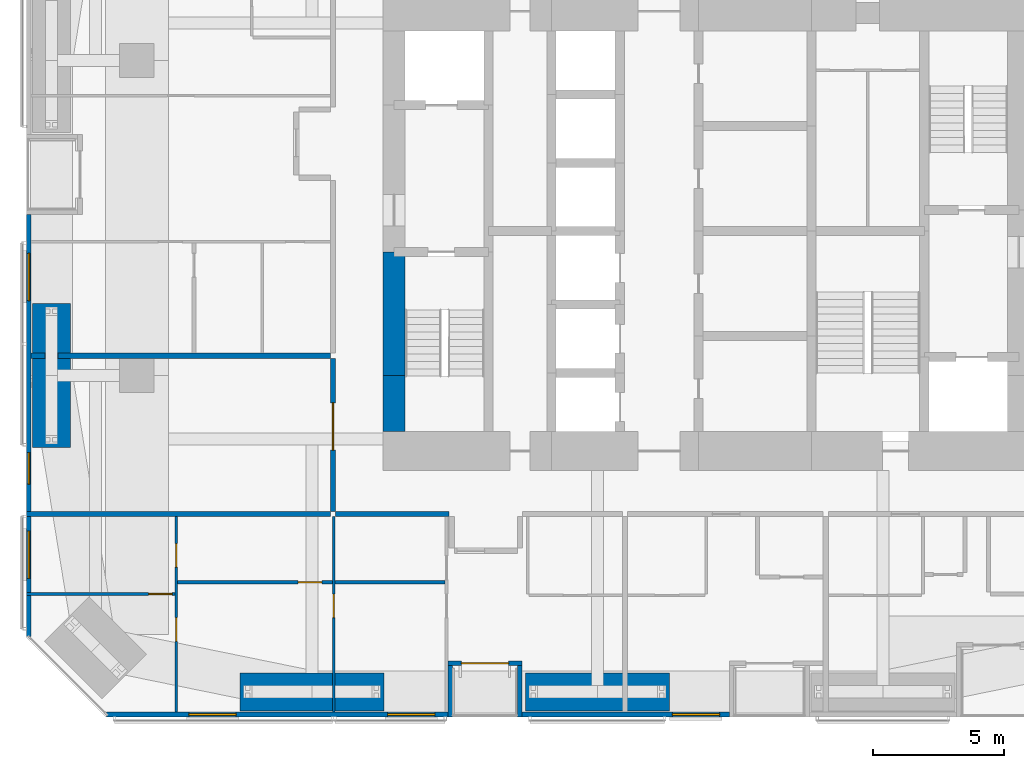
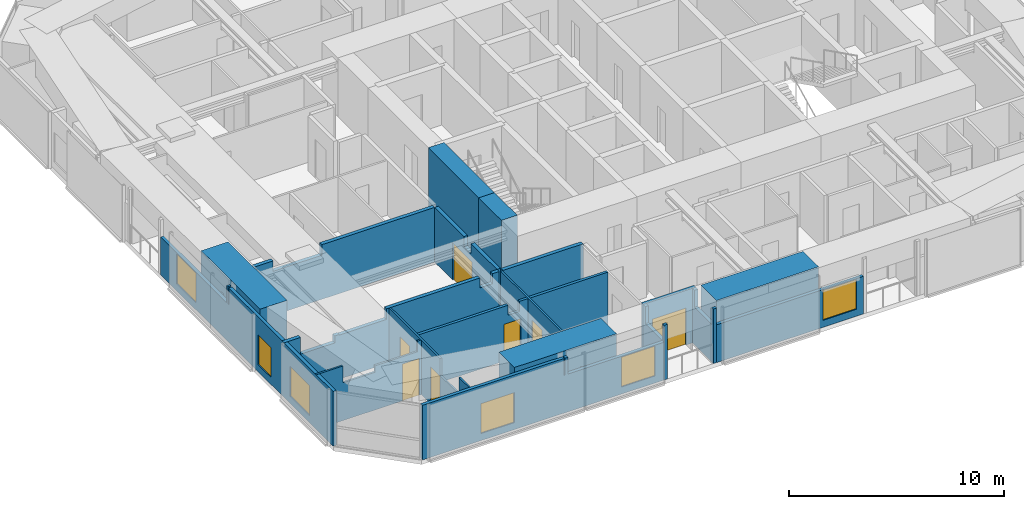
# One storey, part 17 of 25: 20 walls, 7 doors, 6 windows, 13 openings.
"""IFC4 building model written with IfcOpenShell, lengths in metres."""

from ifc_helpers import new_model, si_unit, direction, frame, frame_2d, origin, place, context, subcontext, project, spatial, polyline, rectangle, outline, extrude, material, layer, layer_set, constituent, constituent_set, type_object, element, fill, save


model = new_model("IFC4")

# Units and contexts
model_context = context("Model", 3, precision=1e-05, world=origin(), true_north=direction((0.0, 1.0)))
body_context = subcontext(model_context, "Body", "Model", "MODEL_VIEW")
ifc_project = project(units=[si_unit("LENGTHUNIT", "METRE"), si_unit("AREAUNIT", "SQUARE_METRE"), si_unit("VOLUMEUNIT", "CUBIC_METRE"), si_unit("PLANEANGLEUNIT", "RADIAN"), si_unit("MASSUNIT", "GRAM", prefix="KILO")], contexts=[model_context])

# Site, building, storey
site_placement = place(None, origin())
site = spatial("IfcSite", under=ifc_project, at=site_placement, CompositionType="ELEMENT")
building_placement = place(site_placement, origin())
building = spatial("IfcBuilding", under=site, at=building_placement, Name="Jalousie Tower", CompositionType="ELEMENT")
storey_placement = place(building_placement, frame((0.0, 0.0, 94.800048828125)))
storey = spatial("IfcBuildingStorey", under=building, at=storey_placement, Name="L25", CompositionType="ELEMENT", Elevation=94.800048828125)

# Wall, opening, door
ifc_material_1 = material(Name="Concrete block ASTM C90", Category="concrete")
ifc_constituent_1 = constituent(ifc_material_1, Name="Body")
ifc_material_2 = material(Name="Render")
ifc_constituent_2 = constituent(ifc_material_2, Name="Finish")
ifc_constituent_set_1 = constituent_set(constituents=[ifc_constituent_1, ifc_constituent_2])
wall_type_1 = type_object("IfcWallType", Name="BATHROOM WALL 150", PredefinedType="PLUMBINGWALL", material=ifc_constituent_set_1)
wall_1_placement = place(storey_placement, frame((11.75, 5.125, 0.0), z_axis=(0.0, 0.0, 1.0), x_axis=(1.0, 0.0, 0.0)))
wall_1 = element("IfcWall", 1, at=wall_1_placement, inside=storey, type_object=wall_type_1, Name="Bathroom Wall 150 L25", PredefinedType="PLUMBINGWALL", context=body_context, shape_type="SweptSolid", body=[
    extrude(outline(polyline([(0.0, 0.0), (5.89990234375, 0.0), (5.89990234375, 3.10986328125), (5.4375, 3.10986328125), (5.4375, 2.541015625), (4.8125, 2.541015625), (4.8125, 3.10986328125), (0.0, 3.10986328125), (0.0, 0.0)])), frame((0.0, 0.074951171875, 0.0), z_axis=(0.0, -1.0, 0.0), x_axis=(1.0, 0.0, 0.0)), (0.0, 0.0, 1.0), 0.14990234375),
])
opening_1_placement = place(wall_1_placement, frame((4.60009765625, 0.0, 0.0)))
opening_1 = element("IfcOpeningElement", 2, at=opening_1_placement, cuts=wall_1, Name="Opening D3", PredefinedType="OPENING", context=body_context, shape_type="SweptSolid", body=[
    extrude(rectangle(XDim=0.89990234375, YDim=2.10009765625, at=frame_2d((0.449951171875, 1.050048828125))), frame((0.0, 0.0849609375, 0.0), z_axis=(0.0, -1.0, 0.0), x_axis=(1.0, 0.0, 0.0)), (0.0, 0.0, 1.0), 0.169921875),
])
ifc_material_3 = material(Name="Timber door", Category="wood")
door_type_1 = type_object("IfcDoorType", Name="BATHROOM DOOR 900", OperationType="SINGLE_SWING_LEFT", PredefinedType="DOOR", material=ifc_material_3)
door_1_placement = place(opening_1_placement, origin())
door_1 = element("IfcDoor", 3, at=door_1_placement, inside=storey, type_object=door_type_1, Name="Apartment 2501 bedroom 2 bathroom door", OperationType="SINGLE_SWING_RIGHT", OverallHeight=2.10009765625, OverallWidth=0.89990234375, PredefinedType="DOOR", context=body_context, shape_type="SweptSolid", body=[
    extrude(rectangle(XDim=0.89990234375, YDim=2.10009765625, at=frame_2d((0.449951171875, 1.050048828125))), frame((0.0, 0.02490234375, 0.0), z_axis=(0.0, -1.0, 0.0), x_axis=(1.0, 0.0, 0.0)), (0.0, 0.0, 1.0), 0.050048828125),
])
fill(opening_1, door_1)

# Walls
wall_2_placement = place(storey_placement, frame((17.75, 5.125, 0.0), z_axis=(0.0, 0.0, 1.0), x_axis=(1.0, 0.0, 0.0)))
element("IfcWall", 4, at=wall_2_placement, inside=storey, type_object=wall_type_1, Name="Bathroom Wall 150 L25", PredefinedType="PLUMBINGWALL", context=body_context, shape_type="SweptSolid", body=[
    extrude(rectangle(XDim=4.199951171875, YDim=0.14990234375, at=frame_2d((2.10009765625, 0.0))), origin(), (0.0, 0.0, 1.0), 3.10986328125),
])
ifc_material_4 = material(Name="Concrete f'c 120 MPa", Category="concrete")
ifc_layer_1 = layer(ifc_material_4, 0.85009765625)
ifc_layer_set_1 = layer_set([ifc_layer_1], Name="Concrete f'c 120 MPa")
wall_type_2 = type_object("IfcWallType", Name="CORE WALL 850", PredefinedType="SHEAR", material=ifc_layer_set_1)
wall_3_placement = place(storey_placement, frame((20.0, 17.699951171875, 0.0), z_axis=(0.0, 0.0, 1.0), x_axis=(0.0, -1.0, 0.0)))
element("IfcWall", 5, at=wall_3_placement, inside=storey, type_object=wall_type_2, Name="Core wall WC L25", PredefinedType="SHEAR", context=body_context, shape_type="SweptSolid", body=[
    extrude(rectangle(XDim=4.699951171875, YDim=0.85009765625, at=frame_2d((2.35009765625, 0.0))), origin(), (0.0, 0.0, 1.0), 3.349853515625),
])
wall_4_placement = place(storey_placement, frame((20.0, 13.0, 0.0), z_axis=(0.0, 0.0, 1.0), x_axis=(0.0, -1.0, 0.0)))
element("IfcWall", 6, at=wall_4_placement, inside=storey, type_object=wall_type_2, Name="Core wall WD L25", PredefinedType="SHEAR", context=body_context, shape_type="SweptSolid", body=[
    extrude(rectangle(XDim=2.125, YDim=0.85009765625, at=frame_2d((1.0625, 0.0))), origin(), (0.0, 0.0, 1.0), 3.349853515625),
])
ifc_material_5 = material(Name="Concrete block ASTM C90", Category="concrete")
ifc_constituent_3 = constituent(ifc_material_5, Name="Body")
ifc_material_6 = material(Name="Render")
ifc_constituent_4 = constituent(ifc_material_6, Name="Finish")
ifc_constituent_set_2 = constituent_set(constituents=[ifc_constituent_3, ifc_constituent_4])
wall_type_3 = type_object("IfcWallType", Name="CORRIDOR WALL 200", PredefinedType="PARTITIONING", material=ifc_constituent_set_2)
wall_5_placement = place(storey_placement, frame((17.77490234375, 7.72509765625, 0.0), z_axis=(0.0, 0.0, 1.0), x_axis=(1.0, 0.0, 0.0)))
element("IfcWall", 7, at=wall_5_placement, inside=storey, type_object=wall_type_3, Name="Corridor Wall 200 L25", PredefinedType="PARTITIONING", context=body_context, shape_type="SweptSolid", body=[
    extrude(rectangle(XDim=4.3251953125, YDim=0.199951171875, at=frame_2d((2.16259765625, 0.0))), origin(), (0.0, 0.0, 1.0), 3.10986328125),
])

# Wall, opening, door
wall_6_placement = place(storey_placement, frame((17.675048828125, 7.824951171875, 0.0), z_axis=(0.0, 0.0, 1.0), x_axis=(0.0, 1.0, 0.0)))
wall_6 = element("IfcWall", 8, at=wall_6_placement, inside=storey, type_object=wall_type_3, Name="Corridor Wall 200 L25", PredefinedType="PARTITIONING", context=body_context, shape_type="SweptSolid", body=[
    extrude(outline(polyline([(0.0, 0.0), (5.824951171875, 0.0), (5.824951171875, 3.10986328125), (3.08740234375, 3.10986328125), (3.08740234375, 2.541015625), (2.41259765625, 2.541015625), (2.41259765625, 3.10986328125), (0.0, 3.10986328125), (0.0, 0.0)])), frame((0.0, 0.10009765625, 0.0), z_axis=(0.0, -1.0, 0.0), x_axis=(1.0, 0.0, 0.0)), (0.0, 0.0, 1.0), 0.199951171875),
])
opening_2_placement = place(wall_6_placement, frame((2.33740234375, 0.0, 0.0)))
opening_2 = element("IfcOpeningElement", 9, at=opening_2_placement, cuts=wall_6, Name="Opening D22", PredefinedType="OPENING", context=body_context, shape_type="SweptSolid", body=[
    extrude(rectangle(XDim=1.800048828125, YDim=2.10009765625, at=frame_2d((0.89990234375, 1.050048828125))), frame((0.0, 0.10986328125, 0.0), z_axis=(0.0, -1.0, 0.0), x_axis=(1.0, 0.0, 0.0)), (0.0, 0.0, 1.0), 0.219970703125),
])
ifc_material_7 = material(Name="Timber fire door", Category="wood")
door_type_2 = type_object("IfcDoorType", Name="CORRIDOR DOUBLE DOOR 1800", OperationType="DOUBLE_DOOR_SINGLE_SWING", PredefinedType="DOOR", material=ifc_material_7)
door_2_placement = place(opening_2_placement, origin())
door_2 = element("IfcDoor", 10, at=door_2_placement, inside=storey, type_object=door_type_2, Name="Residents' co-working room door", OperationType="DOUBLE_DOOR_SINGLE_SWING", OverallHeight=2.10009765625, OverallWidth=1.800048828125, PredefinedType="DOOR", context=body_context, shape_type="SweptSolid", body=[
    extrude(rectangle(XDim=1.800048828125, YDim=2.10009765625, at=frame_2d((0.89990234375, 1.050048828125))), frame((0.0, 0.02490234375, 0.0), z_axis=(0.0, -1.0, 0.0), x_axis=(1.0, 0.0, 0.0)), (0.0, 0.0, 1.0), 0.050048828125),
])
fill(opening_2, door_2)

# Wall, openings, windows
ifc_material_8 = material(Name="Concrete f'c 40 MPa", Category="concrete")
ifc_constituent_5 = constituent(ifc_material_8, Name="Body")
ifc_material_9 = material(Name="Render, pastel sea green")
ifc_constituent_6 = constituent(ifc_material_9, Name="Finish")
ifc_constituent_set_3 = constituent_set(constituents=[ifc_constituent_5, ifc_constituent_6])
wall_type_4 = type_object("IfcWallType", Name="EXTERNAL WALL 175 SEA GREEN RENDER", PredefinedType="SOLIDWALL", material=ifc_constituent_set_3)
wall_7_placement = place(storey_placement, frame((9.05126953125, 0.08740234375, 0.0), z_axis=(0.0, 0.0, 1.0), x_axis=(1.0, 0.0, 0.0)))
wall_7 = element("IfcWall", 11, at=wall_7_placement, inside=storey, type_object=wall_type_4, Name="External Wall 175 Sea Green Render L25", PredefinedType="SOLIDWALL", context=body_context, shape_type="SweptSolid", body=[
    extrude(outline(polyline([(0.0, 0.0), (12.998779296875, 0.0), (12.998779296875, 2.14990234375), (7.82373046875, 2.14990234375), (7.82373046875, 3.10986328125), (7.66552734375, 3.10986328125), (7.66552734375, 2.14990234375), (7.620361328125, 2.14990234375), (7.620361328125, 3.10986328125), (0.0, 3.10986328125), (0.0, 0.0)])), frame((0.0, 0.08740234375, 0.0), z_axis=(0.0, -1.0, 0.0), x_axis=(1.0, 0.0, 0.0)), (0.0, 0.0, 1.0), 0.175048828125),
])
opening_3_placement = place(wall_7_placement, frame((3.1337890625, 0.0, 0.39990234375)))
opening_3 = element("IfcOpeningElement", 12, at=opening_3_placement, cuts=wall_7, Name="Opening W-BED170", PredefinedType="OPENING", context=body_context, shape_type="SweptSolid", body=[
    extrude(rectangle(XDim=1.800048828125, YDim=1.699951171875, at=frame_2d((0.89990234375, 0.85009765625))), frame((0.0, 0.097412109375, 0.0), z_axis=(0.0, -1.0, 0.0), x_axis=(1.0, 0.0, 0.0)), (0.0, 0.0, 1.0), 0.195068359375),
])
opening_4_placement = place(wall_7_placement, frame((10.706298828125, 0.0, 0.39990234375)))
opening_4 = element("IfcOpeningElement", 13, at=opening_4_placement, cuts=wall_7, Name="Opening W-BED170", PredefinedType="OPENING", context=body_context, shape_type="SweptSolid", body=[
    extrude(rectangle(XDim=1.800048828125, YDim=1.699951171875, at=frame_2d((0.89990234375, 0.85009765625))), frame((0.0, 0.097412109375, 0.0), z_axis=(0.0, -1.0, 0.0), x_axis=(1.0, 0.0, 0.0)), (0.0, 0.0, 1.0), 0.195068359375),
])
ifc_material_10 = material(Name="Aluminium frame, impact-rated glazing", Category="aluminium")
window_type_1 = type_object("IfcWindowType", Name="WINDOW BED 1800x1700", PartitioningType="SINGLE_PANEL", PredefinedType="WINDOW", material=ifc_material_10)
window_1_placement = place(opening_3_placement, origin())
window_1 = element("IfcWindow", 14, at=window_1_placement, inside=storey, type_object=window_type_1, Name="Apartment 2501 bedroom 2 window", OverallHeight=1.699951171875, OverallWidth=1.800048828125, PartitioningType="SINGLE_PANEL", PredefinedType="WINDOW", context=body_context, shape_type="SweptSolid", body=[
    extrude(rectangle(XDim=1.800048828125, YDim=1.699951171875, at=frame_2d((0.89990234375, 0.85009765625))), frame((0.0, 0.030029296875, 0.0), z_axis=(0.0, -1.0, 0.0), x_axis=(1.0, 0.0, 0.0)), (0.0, 0.0, 1.0), 0.06005859375),
])
fill(opening_3, window_1)
window_2_placement = place(opening_4_placement, origin())
window_2 = element("IfcWindow", 15, at=window_2_placement, inside=storey, type_object=window_type_1, Name="Apartment 2501 bedroom 3 window", OverallHeight=1.699951171875, OverallWidth=1.800048828125, PartitioningType="SINGLE_PANEL", PredefinedType="WINDOW", context=body_context, shape_type="SweptSolid", body=[
    extrude(rectangle(XDim=1.800048828125, YDim=1.699951171875, at=frame_2d((0.89990234375, 0.85009765625))), frame((0.0, 0.030029296875, 0.0), z_axis=(0.0, -1.0, 0.0), x_axis=(1.0, 0.0, 0.0)), (0.0, 0.0, 1.0), 0.06005859375),
])
fill(opening_4, window_2)

# Wall, opening, window
wall_8_placement = place(storey_placement, frame((24.875, 0.08740234375, 0.0), z_axis=(0.0, 0.0, 1.0), x_axis=(1.0, 0.0, 0.0)))
wall_8 = element("IfcWall", 16, at=wall_8_placement, inside=storey, type_object=wall_type_4, Name="External Wall 175 Sea Green Render L25", PredefinedType="SOLIDWALL", context=body_context, shape_type="SweptSolid", body=[
    extrude(rectangle(XDim=7.89990234375, YDim=0.175048828125, at=frame_2d((3.949951171875, 0.0))), origin(), (0.0, 0.0, 1.0), 2.14990234375),
])
opening_5_placement = place(wall_8_placement, frame((5.72509765625, 0.0, 0.39990234375)))
opening_5 = element("IfcOpeningElement", 17, at=opening_5_placement, cuts=wall_8, Name="Opening W-BED170", PredefinedType="OPENING", context=body_context, shape_type="SweptSolid", body=[
    extrude(rectangle(XDim=1.800048828125, YDim=1.699951171875, at=frame_2d((0.89990234375, 0.85009765625))), frame((0.0, 0.097412109375, 0.0), z_axis=(0.0, -1.0, 0.0), x_axis=(1.0, 0.0, 0.0)), (0.0, 0.0, 1.0), 0.195068359375),
])
window_3_placement = place(opening_5_placement, origin())
window_3 = element("IfcWindow", 18, at=window_3_placement, inside=storey, type_object=window_type_1, Name="Apartment 2502 studio living and sleeping room window", OverallHeight=1.699951171875, OverallWidth=1.800048828125, PartitioningType="SINGLE_PANEL", PredefinedType="WINDOW", context=body_context, shape_type="SweptSolid", body=[
    extrude(rectangle(XDim=1.800048828125, YDim=1.699951171875, at=frame_2d((0.89990234375, 0.85009765625))), frame((0.0, 0.030029296875, 0.0), z_axis=(0.0, -1.0, 0.0), x_axis=(1.0, 0.0, 0.0)), (0.0, 0.0, 1.0), 0.06005859375),
])
fill(opening_5, window_3)

# Wall, opening, door
wall_9_placement = place(storey_placement, frame((22.050048828125, 2.03759765625, 0.0), z_axis=(0.0, 0.0, 1.0), x_axis=(1.0, 0.0, 0.0)))
wall_9 = element("IfcWall", 19, at=wall_9_placement, inside=storey, type_object=wall_type_4, Name="External Wall 175 Sea Green Render L25", PredefinedType="SOLIDWALL", context=body_context, shape_type="SweptSolid", body=[
    extrude(rectangle(XDim=2.824951171875, YDim=0.175048828125, at=frame_2d((1.41259765625, 0.0))), origin(), (0.0, 0.0, 1.0), 3.10986328125),
])
opening_6_placement = place(wall_9_placement, frame((0.512451171875, 0.0, 0.0)))
opening_6 = element("IfcOpeningElement", 20, at=opening_6_placement, cuts=wall_9, Name="Opening D-BAL21", PredefinedType="OPENING", context=body_context, shape_type="SweptSolid", body=[
    extrude(rectangle(XDim=1.800048828125, YDim=2.10009765625, at=frame_2d((0.89990234375, 1.050048828125))), frame((0.0, 0.097412109375, 0.0), z_axis=(0.0, -1.0, 0.0), x_axis=(1.0, 0.0, 0.0)), (0.0, 0.0, 1.0), 0.195068359375),
])
ifc_material_11 = material(Name="Aluminium frame, impact-rated glazing", Category="aluminium")
door_type_3 = type_object("IfcDoorType", Name="BALCONY DOOR 1800x2100", OperationType="SLIDING_TO_LEFT", PredefinedType="DOOR", material=ifc_material_11)
door_3_placement = place(opening_6_placement, origin())
door_3 = element("IfcDoor", 21, at=door_3_placement, inside=storey, type_object=door_type_3, Name="Apartment 2501 living and dining room loggia door", OperationType="SLIDING_TO_LEFT", OverallHeight=2.10009765625, OverallWidth=1.800048828125, PredefinedType="DOOR", context=body_context, shape_type="SweptSolid", body=[
    extrude(rectangle(XDim=1.800048828125, YDim=2.10009765625, at=frame_2d((0.89990234375, 1.050048828125))), frame((0.0, 0.02490234375, 0.0), z_axis=(0.0, -1.0, 0.0), x_axis=(1.0, 0.0, 0.0)), (0.0, 0.0, 1.0), 0.050048828125),
])
fill(opening_6, door_3)

# Walls
for number, where, z_axis, x_axis, name in (
    (22, (22.137451171875, 0.0, 0.0), (0.0, 0.0, 1.0), (0.0, 1.0, 0.0), "External Wall 175 Sea Green Render L25"),
    (23, (24.78759765625, 0.0, 0.0), (0.0, 0.0, 1.0), (0.0, 1.0, 0.0), "External Wall 175 Sea Green Render L25"),
):
    element("IfcWall", number, at=place(storey_placement, frame(where, z_axis=z_axis, x_axis=x_axis)), inside=storey, type_object=wall_type_4, Name=name, PredefinedType="SOLIDWALL", context=body_context, shape_type="SweptSolid", body=[
        extrude(outline(polyline([(0.0, 0.0), (1.949951171875, 0.0), (1.949951171875, 3.10986328125), (1.75, 3.10986328125), (1.75, 2.14990234375), (0.14990234375, 2.14990234375), (0.14990234375, 3.10986328125), (0.0, 3.10986328125), (0.0, 0.0)])), frame((0.0, 0.08740234375, 0.0), z_axis=(0.0, -1.0, 0.0), x_axis=(1.0, 0.0, 0.0)), (0.0, 0.0, 1.0), 0.175048828125),
    ])

# Wall, openings, windows
wall_10_placement = place(storey_placement, frame((6.08740234375, 19.137451171875, 0.0), z_axis=(0.0, 0.0, 1.0), x_axis=(0.0, -1.0, 0.0)))
wall_10 = element("IfcWall", 24, at=wall_10_placement, inside=storey, type_object=wall_type_4, Name="External Wall 175 Sea Green Render L25", PredefinedType="SOLIDWALL", context=body_context, shape_type="SweptSolid", body=[
    extrude(outline(polyline([(0.0, 0.0), (16.086181640625, 0.0), (16.086181640625, 3.10986328125), (6.356201171875, 3.10986328125), (6.356201171875, 2.14990234375), (6.26318359375, 2.14990234375), (6.26318359375, 3.10986328125), (6.137451171875, 3.10986328125), (6.137451171875, 2.14990234375), (0.0, 2.14990234375), (0.0, 0.0)])), frame((0.0, 0.08740234375, 0.0), z_axis=(0.0, -1.0, 0.0), x_axis=(1.0, 0.0, 0.0)), (0.0, 0.0, 1.0), 0.175048828125),
])
opening_7_placement = place(wall_10_placement, frame((1.481201171875, 0.0, 0.39990234375)))
opening_7 = element("IfcOpeningElement", 25, at=opening_7_placement, cuts=wall_10, Name="Opening W-BED170", PredefinedType="OPENING", context=body_context, shape_type="SweptSolid", body=[
    extrude(rectangle(XDim=1.800048828125, YDim=1.699951171875, at=frame_2d((0.89990234375, 0.85009765625))), frame((0.0, 0.097412109375, 0.0), z_axis=(0.0, -1.0, 0.0), x_axis=(1.0, 0.0, 0.0)), (0.0, 0.0, 1.0), 0.195068359375),
])
opening_8_placement = place(wall_10_placement, frame((9.07568359375, 0.0, 0.39990234375)))
opening_8 = element("IfcOpeningElement", 26, at=opening_8_placement, cuts=wall_10, Name="Opening W-COR170", PredefinedType="OPENING", context=body_context, shape_type="SweptSolid", body=[
    extrude(rectangle(XDim=1.199951171875, YDim=1.699951171875, at=frame_2d((0.60009765625, 0.85009765625))), frame((0.0, 0.097412109375, 0.0), z_axis=(0.0, -1.0, 0.0), x_axis=(1.0, 0.0, 0.0)), (0.0, 0.0, 1.0), 0.195068359375),
])
opening_9_placement = place(wall_10_placement, frame((12.06201171875, 0.0, 0.39990234375)))
opening_9 = element("IfcOpeningElement", 27, at=opening_9_placement, cuts=wall_10, Name="Opening W-BED170", PredefinedType="OPENING", context=body_context, shape_type="SweptSolid", body=[
    extrude(rectangle(XDim=1.800048828125, YDim=1.699951171875, at=frame_2d((0.89990234375, 0.85009765625))), frame((0.0, 0.097412109375, 0.0), z_axis=(0.0, -1.0, 0.0), x_axis=(1.0, 0.0, 0.0)), (0.0, 0.0, 1.0), 0.195068359375),
])
window_4_placement = place(opening_7_placement, origin())
window_4 = element("IfcWindow", 28, at=window_4_placement, inside=storey, type_object=window_type_1, Name="Apartment 2507 bedroom 1 window", OverallHeight=1.699951171875, OverallWidth=1.800048828125, PartitioningType="SINGLE_PANEL", PredefinedType="WINDOW", context=body_context, shape_type="SweptSolid", body=[
    extrude(rectangle(XDim=1.800048828125, YDim=1.699951171875, at=frame_2d((0.89990234375, 0.85009765625))), frame((0.0, 0.030029296875, 0.0), z_axis=(0.0, -1.0, 0.0), x_axis=(1.0, 0.0, 0.0)), (0.0, 0.0, 1.0), 0.06005859375),
])
fill(opening_7, window_4)
window_5_placement = place(opening_9_placement, origin())
window_5 = element("IfcWindow", 29, at=window_5_placement, inside=storey, type_object=window_type_1, Name="Apartment 2501 bedroom 1 window", OverallHeight=1.699951171875, OverallWidth=1.800048828125, PartitioningType="SINGLE_PANEL", PredefinedType="WINDOW", context=body_context, shape_type="SweptSolid", body=[
    extrude(rectangle(XDim=1.800048828125, YDim=1.699951171875, at=frame_2d((0.89990234375, 0.85009765625))), frame((0.0, 0.030029296875, 0.0), z_axis=(0.0, -1.0, 0.0), x_axis=(1.0, 0.0, 0.0)), (0.0, 0.0, 1.0), 0.06005859375),
])
fill(opening_9, window_5)
ifc_material_12 = material(Name="Aluminium frame, impact-rated glazing", Category="aluminium")
window_type_2 = type_object("IfcWindowType", Name="WINDOW COR 1200x1700", PartitioningType="SINGLE_PANEL", PredefinedType="WINDOW", material=ifc_material_12)
window_6_placement = place(opening_8_placement, origin())
window_6 = element("IfcWindow", 30, at=window_6_placement, inside=storey, type_object=window_type_2, Name="Residents' co-working room window", OverallHeight=1.699951171875, OverallWidth=1.199951171875, PartitioningType="SINGLE_PANEL", PredefinedType="WINDOW", context=body_context, shape_type="SweptSolid", body=[
    extrude(rectangle(XDim=1.199951171875, YDim=1.699951171875, at=frame_2d((0.60009765625, 0.85009765625))), frame((0.0, 0.030029296875, 0.0), z_axis=(0.0, -1.0, 0.0), x_axis=(1.0, 0.0, 0.0)), (0.0, 0.0, 1.0), 0.06005859375),
])
fill(opening_8, window_6)

# Wall, openings, doors
ifc_material_13 = material(Name="Gypsum board", Category="gypsum")
ifc_constituent_7 = constituent(ifc_material_13, Name="Body")
ifc_material_14 = material(Name="Light-gauge steel studs ASTM A653 SS Grade 33", Category="steel")
ifc_constituent_8 = constituent(ifc_material_14, Name="Framing")
ifc_constituent_set_4 = constituent_set(constituents=[ifc_constituent_7, ifc_constituent_8])
wall_type_5 = type_object("IfcWallType", Name="PARTITION 100", PredefinedType="PARTITIONING", material=ifc_constituent_set_4)
wall_11_placement = place(storey_placement, frame((11.699951171875, 0.175048828125, 0.0), z_axis=(0.0, 0.0, 1.0), x_axis=(0.0, 1.0, 0.0)))
wall_11 = element("IfcWall", 31, at=wall_11_placement, inside=storey, type_object=wall_type_5, Name="Partition 100 L25", PredefinedType="PARTITIONING", context=body_context, shape_type="SweptSolid", body=[
    extrude(outline(polyline([(0.0, 0.0), (7.449951171875, 0.0), (7.449951171875, 3.10986328125), (2.708251953125, 3.10986328125), (2.708251953125, 2.14990234375), (0.952880859375, 2.14990234375), (0.952880859375, 3.10986328125), (0.0, 3.10986328125), (0.0, 0.0)])), frame((0.0, 0.050048828125, 0.0), z_axis=(0.0, -1.0, 0.0), x_axis=(1.0, 0.0, 0.0)), (0.0, 0.0, 1.0), 0.10009765625),
])
opening_10_placement = place(wall_11_placement, frame((2.700927734375, 0.0, 0.0)))
opening_10 = element("IfcOpeningElement", 32, at=opening_10_placement, cuts=wall_11, Name="Opening D2", PredefinedType="OPENING", context=body_context, shape_type="SweptSolid", body=[
    extrude(rectangle(XDim=0.89990234375, YDim=2.10009765625, at=frame_2d((0.449951171875, 1.050048828125))), frame((0.0, 0.06005859375, 0.0), z_axis=(0.0, -1.0, 0.0), x_axis=(1.0, 0.0, 0.0)), (0.0, 0.0, 1.0), 0.1201171875),
])
opening_11_placement = place(wall_11_placement, frame((5.525390625, 0.0, 0.0)))
opening_11 = element("IfcOpeningElement", 33, at=opening_11_placement, cuts=wall_11, Name="Opening D3", PredefinedType="OPENING", context=body_context, shape_type="SweptSolid", body=[
    extrude(rectangle(XDim=0.89990234375, YDim=2.10009765625, at=frame_2d((0.449951171875, 1.050048828125))), frame((0.0, 0.06005859375, 0.0), z_axis=(0.0, -1.0, 0.0), x_axis=(1.0, 0.0, 0.0)), (0.0, 0.0, 1.0), 0.1201171875),
])
door_4_placement = place(opening_11_placement, frame((0.89990234375, 0.0, 0.0), z_axis=(0.0, 0.0, 1.0), x_axis=(-1.0, 0.0, 0.0)))
door_4 = element("IfcDoor", 34, at=door_4_placement, inside=storey, type_object=door_type_1, Name="Apartment 2501 bedroom 1 bathroom door", OperationType="SINGLE_SWING_RIGHT", OverallHeight=2.10009765625, OverallWidth=0.89990234375, PredefinedType="DOOR", context=body_context, shape_type="SweptSolid", body=[
    extrude(rectangle(XDim=0.89990234375, YDim=2.10009765625, at=frame_2d((0.449951171875, 1.050048828125))), frame((0.0, 0.02490234375, 0.0), z_axis=(0.0, -1.0, 0.0), x_axis=(1.0, 0.0, 0.0)), (0.0, 0.0, 1.0), 0.050048828125),
])
fill(opening_11, door_4)
ifc_material_15 = material(Name="Timber door", Category="wood")
door_type_4 = type_object("IfcDoorType", Name="BEDROOM DOOR 900", OperationType="SINGLE_SWING_LEFT", PredefinedType="DOOR", material=ifc_material_15)
door_5_placement = place(opening_10_placement, frame((0.89990234375, 0.0, 0.0), z_axis=(0.0, 0.0, 1.0), x_axis=(-1.0, 0.0, 0.0)))
door_5 = element("IfcDoor", 35, at=door_5_placement, inside=storey, type_object=door_type_4, Name="Apartment 2501 bedroom 1 door", OperationType="SINGLE_SWING_LEFT", OverallHeight=2.10009765625, OverallWidth=0.89990234375, PredefinedType="DOOR", context=body_context, shape_type="SweptSolid", body=[
    extrude(rectangle(XDim=0.89990234375, YDim=2.10009765625, at=frame_2d((0.449951171875, 1.050048828125))), frame((0.0, 0.02490234375, 0.0), z_axis=(0.0, -1.0, 0.0), x_axis=(1.0, 0.0, 0.0)), (0.0, 0.0, 1.0), 0.050048828125),
])
fill(opening_10, door_5)

# Wall, opening, door
wall_12_placement = place(storey_placement, frame((17.699951171875, 0.175048828125, 0.0), z_axis=(0.0, 0.0, 1.0), x_axis=(0.0, 1.0, 0.0)))
wall_12 = element("IfcWall", 36, at=wall_12_placement, inside=storey, type_object=wall_type_5, Name="Partition 100 L25", PredefinedType="PARTITIONING", context=body_context, shape_type="SweptSolid", body=[
    extrude(outline(polyline([(1.635009765625, 2.14990234375), (0.0, 2.14990234375), (0.0, 0.0), (7.449951171875, 0.0), (7.449951171875, 3.10986328125), (1.635009765625, 3.10986328125), (1.635009765625, 2.14990234375)]), holes=[polyline([(1.021240234375, 0.115966796875), (0.52880859375, 0.115966796875), (0.52880859375, 0.90576171875), (1.021240234375, 0.90576171875), (1.021240234375, 0.115966796875)]), polyline([(1.021240234375, 1.244140625), (0.52880859375, 1.244140625), (0.52880859375, 2.033935546875), (1.021240234375, 2.033935546875), (1.021240234375, 1.244140625)])]), frame((0.0, 0.050048828125, 0.0), z_axis=(0.0, -1.0, 0.0), x_axis=(1.0, 0.0, 0.0)), (0.0, 0.0, 1.0), 0.10009765625),
])
opening_12_placement = place(wall_12_placement, frame((3.60009765625, 0.0, 0.0)))
opening_12 = element("IfcOpeningElement", 37, at=opening_12_placement, cuts=wall_12, Name="Opening D2", PredefinedType="OPENING", context=body_context, shape_type="SweptSolid", body=[
    extrude(rectangle(XDim=0.89990234375, YDim=2.10009765625, at=frame_2d((0.449951171875, 1.050048828125))), frame((0.0, 0.06005859375, 0.0), z_axis=(0.0, -1.0, 0.0), x_axis=(1.0, 0.0, 0.0)), (0.0, 0.0, 1.0), 0.1201171875),
])
door_6_placement = place(opening_12_placement, origin())
door_6 = element("IfcDoor", 38, at=door_6_placement, inside=storey, type_object=door_type_4, Name="Apartment 2501 bedroom 2 door", OperationType="SINGLE_SWING_RIGHT", OverallHeight=2.10009765625, OverallWidth=0.89990234375, PredefinedType="DOOR", context=body_context, shape_type="SweptSolid", body=[
    extrude(rectangle(XDim=0.89990234375, YDim=2.10009765625, at=frame_2d((0.449951171875, 1.050048828125))), frame((0.0, 0.02490234375, 0.0), z_axis=(0.0, -1.0, 0.0), x_axis=(1.0, 0.0, 0.0)), (0.0, 0.0, 1.0), 0.050048828125),
])
fill(opening_12, door_6)

wall_13_placement = place(storey_placement, frame((6.0, 4.67578125, 0.0), z_axis=(0.0, 0.0, 1.0), x_axis=(1.0, 0.0, 0.0)))
wall_13 = element("IfcWall", 39, at=wall_13_placement, inside=storey, type_object=wall_type_5, Name="Partition 100 L25", PredefinedType="PARTITIONING", context=body_context, shape_type="SweptSolid", body=[
    extrude(outline(polyline([(0.0, 0.0), (5.64990234375, 0.0), (5.64990234375, 3.10986328125), (5.4599609375, 3.10986328125), (5.4599609375, 2.510009765625), (3.171142578125, 2.510009765625), (3.171142578125, 2.14990234375), (1.4287109375, 2.14990234375), (1.4287109375, 3.10986328125), (0.0, 3.10986328125), (0.0, 0.0)])), frame((0.0, 0.050048828125, 0.0), z_axis=(0.0, -1.0, 0.0), x_axis=(1.0, 0.0, 0.0)), (0.0, 0.0, 1.0), 0.10009765625),
])
opening_13_placement = place(wall_13_placement, frame((4.64990234375, 0.0, 0.0)))
opening_13 = element("IfcOpeningElement", 40, at=opening_13_placement, cuts=wall_13, Name="Opening D7", PredefinedType="OPENING", context=body_context, shape_type="SweptSolid", body=[
    extrude(rectangle(XDim=0.89990234375, YDim=2.10009765625, at=frame_2d((0.449951171875, 1.050048828125))), frame((0.0, 0.06005859375, 0.0), z_axis=(0.0, -1.0, 0.0), x_axis=(1.0, 0.0, 0.0)), (0.0, 0.0, 1.0), 0.1201171875),
])
ifc_material_16 = material(Name="Timber door", Category="wood")
door_type_5 = type_object("IfcDoorType", Name="INTERNAL DOOR 900", OperationType="SINGLE_SWING_LEFT", PredefinedType="DOOR", material=ifc_material_16)
door_7_placement = place(opening_13_placement, origin())
door_7 = element("IfcDoor", 41, at=door_7_placement, inside=storey, type_object=door_type_5, Name="Apartment 2501 bedroom 1 dressing hall door", OperationType="SINGLE_SWING_RIGHT", OverallHeight=2.10009765625, OverallWidth=0.89990234375, PredefinedType="DOOR", context=body_context, shape_type="SweptSolid", body=[
    extrude(rectangle(XDim=0.89990234375, YDim=2.10009765625, at=frame_2d((0.449951171875, 1.050048828125))), frame((0.0, 0.02490234375, 0.0), z_axis=(0.0, -1.0, 0.0), x_axis=(1.0, 0.0, 0.0)), (0.0, 0.0, 1.0), 0.050048828125),
])
fill(opening_13, door_7)

# Walls
ifc_material_17 = material(Name="Concrete block ASTM C90", Category="concrete")
ifc_constituent_9 = constituent(ifc_material_17, Name="Body")
ifc_material_18 = material(Name="Render")
ifc_constituent_10 = constituent(ifc_material_18, Name="Finish")
ifc_constituent_set_5 = constituent_set(constituents=[ifc_constituent_9, ifc_constituent_10])
wall_type_6 = type_object("IfcWallType", Name="PARTY WALL 200", PredefinedType="PARTITIONING", material=ifc_constituent_set_5)
wall_14_placement = place(storey_placement, frame((6.0, 7.72509765625, 0.0), z_axis=(0.0, 0.0, 1.0), x_axis=(1.0, 0.0, 0.0)))
element("IfcWall", 42, at=wall_14_placement, inside=storey, type_object=wall_type_6, Name="Party Wall 200 L25", PredefinedType="PARTITIONING", context=body_context, shape_type="SweptSolid", body=[
    extrude(outline(polyline([(0.0, 0.0), (11.574951171875, 0.0), (11.574951171875, 3.10986328125), (11.21240234375, 3.10986328125), (11.21240234375, 2.541015625), (10.53759765625, 2.541015625), (10.53759765625, 3.10986328125), (5.510009765625, 3.10986328125), (5.510009765625, 2.510009765625), (2.96875, 2.510009765625), (2.96875, 2.541015625), (2.727294921875, 2.541015625), (2.727294921875, 2.14990234375), (0.883544921875, 2.14990234375), (0.883544921875, 3.10986328125), (0.0, 3.10986328125), (0.0, 0.0)])), frame((0.0, 0.10009765625, 0.0), z_axis=(0.0, -1.0, 0.0), x_axis=(1.0, 0.0, 0.0)), (0.0, 0.0, 1.0), 0.199951171875),
])
wall_15_placement = place(storey_placement, frame((6.175048828125, 13.75, 0.0), z_axis=(0.0, 0.0, 1.0), x_axis=(1.0, 0.0, 0.0)))
element("IfcWall", 43, at=wall_15_placement, inside=storey, type_object=wall_type_6, Name="Party Wall 200 L25", PredefinedType="PARTITIONING", context=body_context, shape_type="SweptSolid", body=[
    extrude(outline(polyline([(1.68505859375, 2.14990234375), (0.0, 2.14990234375), (0.0, 0.0), (11.39990234375, 0.0), (11.39990234375, 3.10986328125), (5.3349609375, 3.10986328125), (5.3349609375, 2.510009765625), (2.715087890625, 2.510009765625), (2.715087890625, 3.10986328125), (1.68505859375, 3.10986328125), (1.68505859375, 2.14990234375)]), holes=[polyline([(1.021240234375, 0.133056640625), (0.52880859375, 0.133056640625), (0.52880859375, 0.991455078125), (1.021240234375, 0.991455078125), (1.021240234375, 0.133056640625)]), polyline([(1.021240234375, 1.158447265625), (0.52880859375, 1.158447265625), (0.52880859375, 2.016845703125), (1.021240234375, 2.016845703125), (1.021240234375, 1.158447265625)])]), frame((0.0, 0.10009765625, 0.0), z_axis=(0.0, -1.0, 0.0), x_axis=(1.0, 0.0, 0.0)), (0.0, 0.0, 1.0), 0.199951171875),
])
ifc_material_19 = material(Name="Concrete f'c 120 MPa", Category="concrete")
ifc_layer_2 = layer(ifc_material_19, 1.449951171875)
ifc_layer_set_2 = layer_set([ifc_layer_2], Name="Concrete f'c 120 MPa")
wall_type_7 = type_object("IfcWallType", Name="RC WALL PIER 1450", PredefinedType="SHEAR", material=ifc_layer_set_2)
for number, where, z_axis, x_axis, name in (
    (44, (14.125, 0.949951171875, 0.0), (0.0, 0.0, 1.0), (1.0, 0.0, 0.0), "Wall pier 02 L25"),
    (45, (25.0, 0.949951171875, 0.0), (0.0, 0.0, 1.0), (1.0, 0.0, 0.0), "Wall pier 03 L25"),
    (46, (6.949951171875, 10.25, 0.0), (0.0, 0.0, 1.0), (0.0, 1.0, 0.0), "Wall pier 14 L25"),
):
    element("IfcWall", number, at=place(storey_placement, frame(where, z_axis=z_axis, x_axis=x_axis)), inside=storey, type_object=wall_type_7, Name=name, PredefinedType="SHEAR", context=body_context, shape_type="SweptSolid", body=[
        extrude(rectangle(XDim=5.5, YDim=1.449951171875, at=frame_2d((2.75, 0.0))), origin(), (0.0, 0.0, 1.0), 3.349853515625),
    ])

save(model, "model.ifc")
